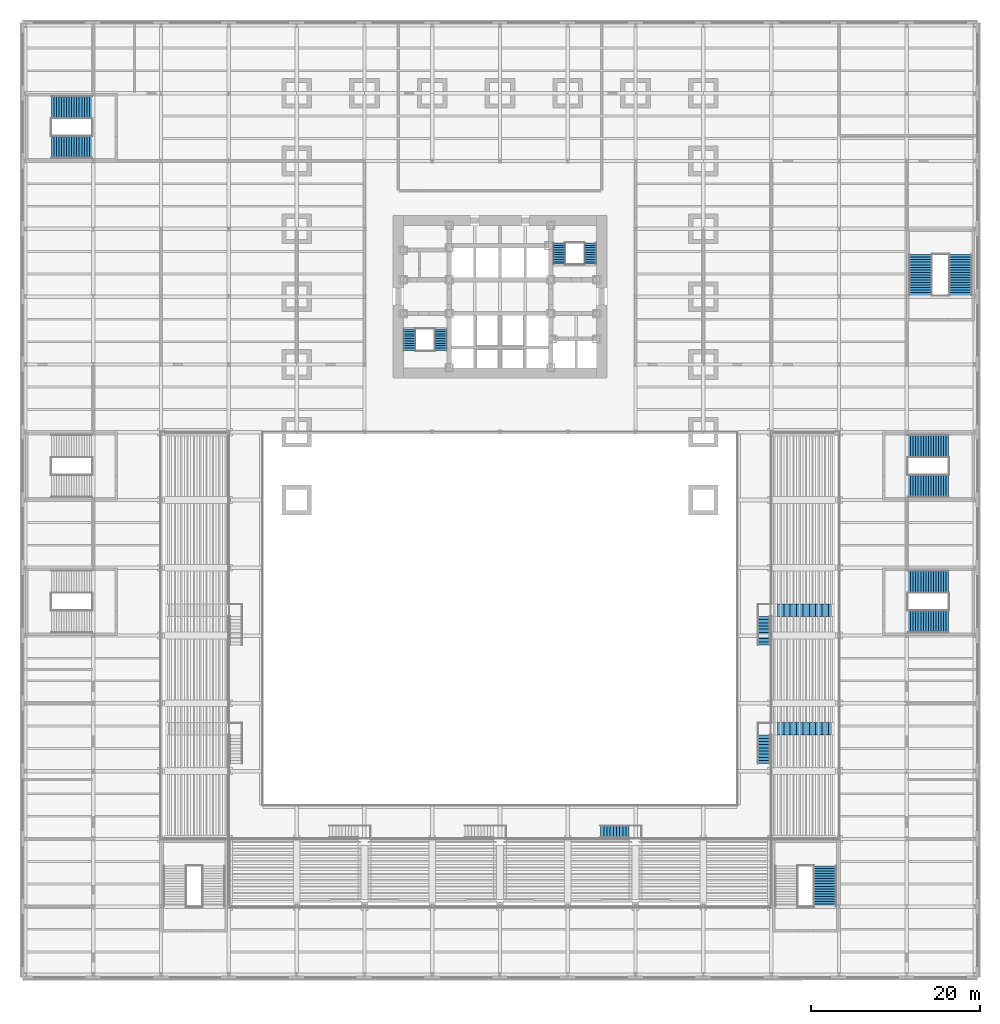
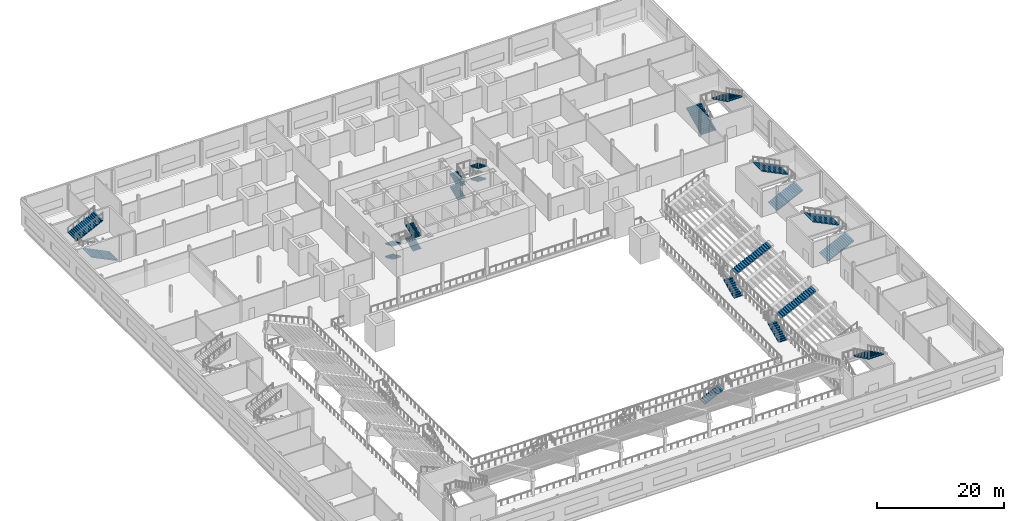
# One storey, part 19 of 27: 22 stair flights, 10 elements without a shape of their own.
"""IFC4 building model written with IfcOpenShell, lengths in metres."""

from ifc_helpers import new_model, si_unit, direction, frame, origin, place, context, subcontext, project, spatial, polyline, outline, extrude, material, type_object, element, aggregate, save


model = new_model("IFC4")

# Units and contexts
model_context = context("Model", 3, precision=1e-05, world=origin(), true_north=direction((0.0, 1.0)))
body_context = subcontext(model_context, "Body", "Model", "MODEL_VIEW")
ifc_project = project(units=[si_unit("LENGTHUNIT", "METRE"), si_unit("AREAUNIT", "SQUARE_METRE"), si_unit("VOLUMEUNIT", "CUBIC_METRE"), si_unit("PLANEANGLEUNIT", "RADIAN"), si_unit("MASSUNIT", "GRAM", prefix="KILO")], contexts=[model_context])

# Site, building, storey
site_placement = place(None, origin())
site = spatial("IfcSite", under=ifc_project, at=site_placement, CompositionType="ELEMENT")
building_placement = place(site_placement, origin())
building = spatial("IfcBuilding", under=site, at=building_placement, Name="Daluyong Arena Tower", CompositionType="ELEMENT")
storey_placement = place(building_placement, frame((0.0, 0.0, 14.89990234375)))
storey = spatial("IfcBuildingStorey", under=building, at=storey_placement, Name="L03", CompositionType="ELEMENT", Elevation=14.89990234375)

# Stair, stair flights
ifc_material_1 = material(Name="Concrete fc' 35 MPa", Category="concrete")
stair_type_1 = type_object("IfcStairType", Name="Bowl aisle stair", PredefinedType="STRAIGHT_RUN_STAIR", material=ifc_material_1)
stair_1_placement = place(storey_placement, origin())
stair_1 = element("IfcStair", 1, at=stair_1_placement, inside=storey, type_object=stair_type_1, Name="upper bowl aisle stair", PredefinedType="STRAIGHT_RUN_STAIR")
ifc_material_2 = material(Name="Concrete fc' 35 MPa", Category="concrete")
stair_flight_type_1 = type_object("IfcStairFlightType", Name="Aisle stair flight", PredefinedType="STRAIGHT", material=ifc_material_2)
stair_flight_1_placement = place(storey_placement, frame((87.14990234375, 24.875, 0.0), z_axis=(0.0, 0.0, 1.0), x_axis=(0.0, 1.0, 0.0)))
stair_flight_1 = element("IfcStairFlight", 2, at=stair_flight_1_placement, type_object=stair_flight_type_1, Name="AS flight 1", NumberOfRisers=10, NumberOfTreads=9, PredefinedType="STRAIGHT", RiserHeight=0.178571429, TreadLength=0.375, context=body_context, shape_type="SweptSolid", body=[
    extrude(outline(polyline([(0.0, 0.0), (0.0, 0.178466796875), (0.375, 0.178466796875), (0.375, 0.357177734375), (0.75, 0.357177734375), (0.75, 0.53564453125), (1.125, 0.53564453125), (1.125, 0.71435546875), (1.5, 0.71435546875), (1.5, 0.892822265625), (1.875, 0.892822265625), (1.875, 1.071533203125), (2.25, 1.071533203125), (2.25, 1.25), (2.625, 1.25), (2.625, 1.428466796875), (3.0, 1.428466796875), (3.0, 1.607177734375), (3.375, 1.607177734375), (3.375, 1.78564453125), (3.375, 1.441162109375), (0.3486328125, 0.0), (0.0, 0.0)])), frame((0.0, 0.75, 0.0), z_axis=(0.0, -1.0, 0.0), x_axis=(1.0, 0.0, 0.0)), (0.0, 0.0, 1.0), 1.5),
])
stair_flight_2_placement = place(storey_placement, frame((88.75, 29.0, 1.785888671875), z_axis=(0.0, 0.0, 1.0), x_axis=(1.0, 0.0, 0.0)))
stair_flight_2 = element("IfcStairFlight", 3, at=stair_flight_2_placement, type_object=stair_flight_type_1, Name="AS flight 2", NumberOfRisers=18, NumberOfTreads=17, PredefinedType="STRAIGHT", RiserHeight=0.178571429, TreadLength=0.375, context=body_context, shape_type="SweptSolid", body=[
    extrude(outline(polyline([(0.0, 0.0), (0.0, 0.178466796875), (0.375, 0.178466796875), (0.375, 0.357177734375), (0.75, 0.357177734375), (0.75, 0.53564453125), (1.125, 0.53564453125), (1.125, 0.71435546875), (1.5, 0.71435546875), (1.5, 0.892822265625), (1.875, 0.892822265625), (1.875, 1.071533203125), (2.25, 1.071533203125), (2.25, 1.25), (2.625, 1.25), (2.625, 1.428466796875), (3.0, 1.428466796875), (3.0, 1.607177734375), (3.375, 1.607177734375), (3.375, 1.78564453125), (3.75, 1.78564453125), (3.75, 1.96435546875), (4.125, 1.96435546875), (4.125, 2.142822265625), (4.5, 2.142822265625), (4.5, 2.321533203125), (4.875, 2.321533203125), (4.875, 2.5), (5.25, 2.5), (5.25, 2.678466796875), (5.625, 2.678466796875), (5.625, 2.857177734375), (6.0, 2.857177734375), (6.0, 3.03564453125), (6.375, 3.03564453125), (6.375, 3.21435546875), (6.375, 2.86962890625), (0.3486328125, 0.0), (0.0, 0.0)])), frame((0.0, 0.75, 0.0), z_axis=(0.0, -1.0, 0.0), x_axis=(1.0, 0.0, 0.0)), (0.0, 0.0, 1.0), 1.5),
])
aggregate(stair_1, [stair_flight_1, stair_flight_2])

stair_2_placement = place(storey_placement, origin())
stair_2 = element("IfcStair", 4, at=stair_2_placement, inside=storey, type_object=stair_type_1, Name="upper bowl aisle stair", PredefinedType="STRAIGHT_RUN_STAIR")
stair_flight_3_placement = place(storey_placement, frame((87.14990234375, 38.875, 0.0), z_axis=(0.0, 0.0, 1.0), x_axis=(0.0, 1.0, 0.0)))
stair_flight_3 = element("IfcStairFlight", 5, at=stair_flight_3_placement, type_object=stair_flight_type_1, Name="AS flight 1", NumberOfRisers=10, NumberOfTreads=9, PredefinedType="STRAIGHT", RiserHeight=0.178571429, TreadLength=0.375, context=body_context, shape_type="SweptSolid", body=[
    extrude(outline(polyline([(0.0, 0.0), (0.0, 0.178466796875), (0.375, 0.178466796875), (0.375, 0.357177734375), (0.75, 0.357177734375), (0.75, 0.53564453125), (1.125, 0.53564453125), (1.125, 0.71435546875), (1.5, 0.71435546875), (1.5, 0.892822265625), (1.875, 0.892822265625), (1.875, 1.071533203125), (2.25, 1.071533203125), (2.25, 1.25), (2.625, 1.25), (2.625, 1.428466796875), (3.0, 1.428466796875), (3.0, 1.607177734375), (3.375, 1.607177734375), (3.375, 1.78564453125), (3.375, 1.441162109375), (0.3486328125, 0.0), (0.0, 0.0)])), frame((0.0, 0.75, 0.0), z_axis=(0.0, -1.0, 0.0), x_axis=(1.0, 0.0, 0.0)), (0.0, 0.0, 1.0), 1.5),
])
stair_flight_4_placement = place(storey_placement, frame((88.75, 43.0, 1.785888671875), z_axis=(0.0, 0.0, 1.0), x_axis=(1.0, 0.0, 0.0)))
stair_flight_4 = element("IfcStairFlight", 6, at=stair_flight_4_placement, type_object=stair_flight_type_1, Name="AS flight 2", NumberOfRisers=18, NumberOfTreads=17, PredefinedType="STRAIGHT", RiserHeight=0.178571429, TreadLength=0.375, context=body_context, shape_type="SweptSolid", body=[
    extrude(outline(polyline([(0.0, 0.0), (0.0, 0.178466796875), (0.375, 0.178466796875), (0.375, 0.357177734375), (0.75, 0.357177734375), (0.75, 0.53564453125), (1.125, 0.53564453125), (1.125, 0.71435546875), (1.5, 0.71435546875), (1.5, 0.892822265625), (1.875, 0.892822265625), (1.875, 1.071533203125), (2.25, 1.071533203125), (2.25, 1.25), (2.625, 1.25), (2.625, 1.428466796875), (3.0, 1.428466796875), (3.0, 1.607177734375), (3.375, 1.607177734375), (3.375, 1.78564453125), (3.75, 1.78564453125), (3.75, 1.96435546875), (4.125, 1.96435546875), (4.125, 2.142822265625), (4.5, 2.142822265625), (4.5, 2.321533203125), (4.875, 2.321533203125), (4.875, 2.5), (5.25, 2.5), (5.25, 2.678466796875), (5.625, 2.678466796875), (5.625, 2.857177734375), (6.0, 2.857177734375), (6.0, 3.03564453125), (6.375, 3.03564453125), (6.375, 3.21435546875), (6.375, 2.86962890625), (0.3486328125, 0.0), (0.0, 0.0)])), frame((0.0, 0.75, 0.0), z_axis=(0.0, -1.0, 0.0), x_axis=(1.0, 0.0, 0.0)), (0.0, 0.0, 1.0), 1.5),
])
aggregate(stair_2, [stair_flight_3, stair_flight_4])

# Stair, stair flight
stair_3_placement = place(storey_placement, origin())
stair_3 = element("IfcStair", 7, at=stair_3_placement, inside=storey, type_object=stair_type_1, Name="upper bowl aisle stair", PredefinedType="STRAIGHT_RUN_STAIR")
stair_flight_5_placement = place(storey_placement, frame((67.875, 16.85009765625, 0.0), z_axis=(0.0, 0.0, 1.0), x_axis=(1.0, 0.0, 0.0)))
stair_flight_5 = element("IfcStairFlight", 8, at=stair_flight_5_placement, type_object=stair_flight_type_1, Name="AS flight 1", NumberOfRisers=10, NumberOfTreads=9, PredefinedType="STRAIGHT", RiserHeight=0.178571429, TreadLength=0.375, context=body_context, shape_type="SweptSolid", body=[
    extrude(outline(polyline([(0.0, 0.0), (0.0, 0.178466796875), (0.375, 0.178466796875), (0.375, 0.357177734375), (0.75, 0.357177734375), (0.75, 0.53564453125), (1.125, 0.53564453125), (1.125, 0.71435546875), (1.5, 0.71435546875), (1.5, 0.892822265625), (1.875, 0.892822265625), (1.875, 1.071533203125), (2.25, 1.071533203125), (2.25, 1.25), (2.625, 1.25), (2.625, 1.428466796875), (3.0, 1.428466796875), (3.0, 1.607177734375), (3.375, 1.607177734375), (3.375, 1.78564453125), (3.375, 1.441162109375), (0.3486328125, 0.0), (0.0, 0.0)])), frame((0.0, 0.75, 0.0), z_axis=(0.0, -1.0, 0.0), x_axis=(1.0, 0.0, 0.0)), (0.0, 0.0, 1.0), 1.5),
])
aggregate(stair_3, [stair_flight_5])

# Stair, stair flights
ifc_material_3 = material(Name="Concrete fc' 35 MPa", Category="concrete")
stair_type_2 = type_object("IfcStairType", Name="Core exit stair", PredefinedType="HALF_TURN_STAIR", material=ifc_material_3)
stair_4_placement = place(storey_placement, origin())
stair_4 = element("IfcStair", 9, at=stair_4_placement, inside=storey, type_object=stair_type_2, Name="exit stair A L03", PredefinedType="HALF_TURN_STAIR")
ifc_material_4 = material(Name="Concrete fc' 35 MPa", Category="concrete")
stair_flight_type_2 = type_object("IfcStairFlightType", Name="Core stair flight", PredefinedType="STRAIGHT", material=ifc_material_4)
stair_flight_6_placement = place(storey_placement, frame((45.324951171875, 76.175048828125, 0.0), z_axis=(0.0, 0.0, 1.0), x_axis=(0.0, -1.0, 0.0)))
stair_flight_6 = element("IfcStairFlight", 10, at=stair_flight_6_placement, type_object=stair_flight_type_2, Name="STA flight 1", NumberOfRisers=10, NumberOfTreads=9, PredefinedType="STRAIGHT", RiserHeight=0.125, TreadLength=0.28, context=body_context, shape_type="SweptSolid", body=[
    extrude(outline(polyline([(0.0, 0.0), (0.0, 0.125), (0.280029296875, 0.125), (0.280029296875, 0.25), (0.56005859375, 0.25), (0.56005859375, 0.375), (0.840087890625, 0.375), (0.840087890625, 0.5), (1.1201171875, 0.5), (1.1201171875, 0.625), (1.39990234375, 0.625), (1.39990234375, 0.75), (1.679931640625, 0.75), (1.679931640625, 0.875), (1.9599609375, 0.875), (1.9599609375, 1.0), (2.239990234375, 1.0), (2.239990234375, 1.125), (2.52001953125, 1.125), (2.52001953125, 1.25), (2.52001953125, 0.9609375), (0.36767578125, 0.0), (0.0, 0.0)])), frame((0.0, 0.72509765625, 0.0), z_axis=(0.0, -1.0, 0.0), x_axis=(1.0, 0.0, 0.0)), (0.0, 0.0, 1.0), 1.449951171875),
])
stair_flight_7_placement = place(storey_placement, frame((49.02490234375, 73.655029296875, 1.25), z_axis=(0.0, 0.0, 1.0), x_axis=(0.0, 1.0, 0.0)))
stair_flight_7 = element("IfcStairFlight", 11, at=stair_flight_7_placement, type_object=stair_flight_type_2, Name="STA flight 2", NumberOfRisers=10, NumberOfTreads=9, PredefinedType="STRAIGHT", RiserHeight=0.125, TreadLength=0.28, context=body_context, shape_type="SweptSolid", body=[
    extrude(outline(polyline([(0.0, 0.0), (0.0, 0.125), (0.280029296875, 0.125), (0.280029296875, 0.25), (0.56005859375, 0.25), (0.56005859375, 0.375), (0.840087890625, 0.375), (0.840087890625, 0.5), (1.1201171875, 0.5), (1.1201171875, 0.625), (1.39990234375, 0.625), (1.39990234375, 0.75), (1.679931640625, 0.75), (1.679931640625, 0.875), (1.9599609375, 0.875), (1.9599609375, 1.0), (2.239990234375, 1.0), (2.239990234375, 1.125), (2.52001953125, 1.125), (2.52001953125, 1.25), (2.52001953125, 0.9609375), (0.36767578125, 0.0), (0.0, 0.0)])), frame((0.0, 0.72509765625, 0.0), z_axis=(0.0, -1.0, 0.0), x_axis=(1.0, 0.0, 0.0)), (0.0, 0.0, 1.0), 1.449951171875),
])
stair_flight_8_placement = place(storey_placement, frame((45.324951171875, 76.175048828125, 2.5), z_axis=(0.0, 0.0, 1.0), x_axis=(0.0, -1.0, 0.0)))
stair_flight_8 = element("IfcStairFlight", 12, at=stair_flight_8_placement, type_object=stair_flight_type_2, Name="STA flight 3", NumberOfRisers=10, NumberOfTreads=9, PredefinedType="STRAIGHT", RiserHeight=0.125, TreadLength=0.28, context=body_context, shape_type="SweptSolid", body=[
    extrude(outline(polyline([(0.0, 0.0), (0.0, 0.125), (0.280029296875, 0.125), (0.280029296875, 0.25), (0.56005859375, 0.25), (0.56005859375, 0.375), (0.840087890625, 0.375), (0.840087890625, 0.5), (1.1201171875, 0.5), (1.1201171875, 0.625), (1.39990234375, 0.625), (1.39990234375, 0.75), (1.679931640625, 0.75), (1.679931640625, 0.875), (1.9599609375, 0.875), (1.9599609375, 1.0), (2.239990234375, 1.0), (2.239990234375, 1.125), (2.52001953125, 1.125), (2.52001953125, 1.25), (2.52001953125, 0.9609375), (0.36767578125, 0.0), (0.0, 0.0)])), frame((0.0, 0.72509765625, 0.0), z_axis=(0.0, -1.0, 0.0), x_axis=(1.0, 0.0, 0.0)), (0.0, 0.0, 1.0), 1.449951171875),
])
stair_flight_9_placement = place(storey_placement, frame((49.02490234375, 73.655029296875, 3.75), z_axis=(0.0, 0.0, 1.0), x_axis=(0.0, 1.0, 0.0)))
stair_flight_9 = element("IfcStairFlight", 13, at=stair_flight_9_placement, type_object=stair_flight_type_2, Name="STA flight 4", NumberOfRisers=10, NumberOfTreads=9, PredefinedType="STRAIGHT", RiserHeight=0.125, TreadLength=0.28, context=body_context, shape_type="SweptSolid", body=[
    extrude(outline(polyline([(0.0, 0.0), (0.0, 0.125), (0.280029296875, 0.125), (0.280029296875, 0.25), (0.56005859375, 0.25), (0.56005859375, 0.375), (0.840087890625, 0.375), (0.840087890625, 0.5), (1.1201171875, 0.5), (1.1201171875, 0.625), (1.39990234375, 0.625), (1.39990234375, 0.75), (1.679931640625, 0.75), (1.679931640625, 0.875), (1.9599609375, 0.875), (1.9599609375, 1.0), (2.239990234375, 1.0), (2.239990234375, 1.125), (2.52001953125, 1.125), (2.52001953125, 1.25), (2.52001953125, 0.9609375), (0.36767578125, 0.0), (0.0, 0.0)])), frame((0.0, 0.72509765625, 0.0), z_axis=(0.0, -1.0, 0.0), x_axis=(1.0, 0.0, 0.0)), (0.0, 0.0, 1.0), 1.449951171875),
])
aggregate(stair_4, [stair_flight_6, stair_flight_7, stair_flight_8, stair_flight_9])

stair_5_placement = place(storey_placement, origin())
stair_5 = element("IfcStair", 14, at=stair_5_placement, inside=storey, type_object=stair_type_2, Name="exit stair B L03", PredefinedType="HALF_TURN_STAIR")
stair_flight_10_placement = place(storey_placement, frame((62.97509765625, 83.824951171875, 0.0), z_axis=(0.0, 0.0, 1.0), x_axis=(0.0, 1.0, 0.0)))
stair_flight_10 = element("IfcStairFlight", 15, at=stair_flight_10_placement, type_object=stair_flight_type_2, Name="STB flight 1", NumberOfRisers=10, NumberOfTreads=9, PredefinedType="STRAIGHT", RiserHeight=0.125, TreadLength=0.28, context=body_context, shape_type="SweptSolid", body=[
    extrude(outline(polyline([(0.0, 0.0), (0.0, 0.125), (0.280029296875, 0.125), (0.280029296875, 0.25), (0.56005859375, 0.25), (0.56005859375, 0.375), (0.840087890625, 0.375), (0.840087890625, 0.5), (1.1201171875, 0.5), (1.1201171875, 0.625), (1.39990234375, 0.625), (1.39990234375, 0.75), (1.679931640625, 0.75), (1.679931640625, 0.875), (1.9599609375, 0.875), (1.9599609375, 1.0), (2.239990234375, 1.0), (2.239990234375, 1.125), (2.52001953125, 1.125), (2.52001953125, 1.25), (2.52001953125, 0.9609375), (0.36767578125, 0.0), (0.0, 0.0)])), frame((0.0, 0.72509765625, 0.0), z_axis=(0.0, -1.0, 0.0), x_axis=(1.0, 0.0, 0.0)), (0.0, 0.0, 1.0), 1.449951171875),
])
stair_flight_11_placement = place(storey_placement, frame((66.675048828125, 86.344970703125, 1.25), z_axis=(0.0, 0.0, 1.0), x_axis=(0.0, -1.0, 0.0)))
stair_flight_11 = element("IfcStairFlight", 16, at=stair_flight_11_placement, type_object=stair_flight_type_2, Name="STB flight 2", NumberOfRisers=10, NumberOfTreads=9, PredefinedType="STRAIGHT", RiserHeight=0.125, TreadLength=0.28, context=body_context, shape_type="SweptSolid", body=[
    extrude(outline(polyline([(0.0, 0.0), (0.0, 0.125), (0.280029296875, 0.125), (0.280029296875, 0.25), (0.56005859375, 0.25), (0.56005859375, 0.375), (0.840087890625, 0.375), (0.840087890625, 0.5), (1.1201171875, 0.5), (1.1201171875, 0.625), (1.39990234375, 0.625), (1.39990234375, 0.75), (1.679931640625, 0.75), (1.679931640625, 0.875), (1.9599609375, 0.875), (1.9599609375, 1.0), (2.239990234375, 1.0), (2.239990234375, 1.125), (2.52001953125, 1.125), (2.52001953125, 1.25), (2.52001953125, 0.9609375), (0.36767578125, 0.0), (0.0, 0.0)])), frame((0.0, 0.72509765625, 0.0), z_axis=(0.0, -1.0, 0.0), x_axis=(1.0, 0.0, 0.0)), (0.0, 0.0, 1.0), 1.449951171875),
])
stair_flight_12_placement = place(storey_placement, frame((62.97509765625, 83.824951171875, 2.5), z_axis=(0.0, 0.0, 1.0), x_axis=(0.0, 1.0, 0.0)))
stair_flight_12 = element("IfcStairFlight", 17, at=stair_flight_12_placement, type_object=stair_flight_type_2, Name="STB flight 3", NumberOfRisers=10, NumberOfTreads=9, PredefinedType="STRAIGHT", RiserHeight=0.125, TreadLength=0.28, context=body_context, shape_type="SweptSolid", body=[
    extrude(outline(polyline([(0.0, 0.0), (0.0, 0.125), (0.280029296875, 0.125), (0.280029296875, 0.25), (0.56005859375, 0.25), (0.56005859375, 0.375), (0.840087890625, 0.375), (0.840087890625, 0.5), (1.1201171875, 0.5), (1.1201171875, 0.625), (1.39990234375, 0.625), (1.39990234375, 0.75), (1.679931640625, 0.75), (1.679931640625, 0.875), (1.9599609375, 0.875), (1.9599609375, 1.0), (2.239990234375, 1.0), (2.239990234375, 1.125), (2.52001953125, 1.125), (2.52001953125, 1.25), (2.52001953125, 0.9609375), (0.36767578125, 0.0), (0.0, 0.0)])), frame((0.0, 0.72509765625, 0.0), z_axis=(0.0, -1.0, 0.0), x_axis=(1.0, 0.0, 0.0)), (0.0, 0.0, 1.0), 1.449951171875),
])
stair_flight_13_placement = place(storey_placement, frame((66.675048828125, 86.344970703125, 3.75), z_axis=(0.0, 0.0, 1.0), x_axis=(0.0, -1.0, 0.0)))
stair_flight_13 = element("IfcStairFlight", 18, at=stair_flight_13_placement, type_object=stair_flight_type_2, Name="STB flight 4", NumberOfRisers=10, NumberOfTreads=9, PredefinedType="STRAIGHT", RiserHeight=0.125, TreadLength=0.28, context=body_context, shape_type="SweptSolid", body=[
    extrude(outline(polyline([(0.0, 0.0), (0.0, 0.125), (0.280029296875, 0.125), (0.280029296875, 0.25), (0.56005859375, 0.25), (0.56005859375, 0.375), (0.840087890625, 0.375), (0.840087890625, 0.5), (1.1201171875, 0.5), (1.1201171875, 0.625), (1.39990234375, 0.625), (1.39990234375, 0.75), (1.679931640625, 0.75), (1.679931640625, 0.875), (1.9599609375, 0.875), (1.9599609375, 1.0), (2.239990234375, 1.0), (2.239990234375, 1.125), (2.52001953125, 1.125), (2.52001953125, 1.25), (2.52001953125, 0.9609375), (0.36767578125, 0.0), (0.0, 0.0)])), frame((0.0, 0.72509765625, 0.0), z_axis=(0.0, -1.0, 0.0), x_axis=(1.0, 0.0, 0.0)), (0.0, 0.0, 1.0), 1.449951171875),
])
aggregate(stair_5, [stair_flight_10, stair_flight_11, stair_flight_12, stair_flight_13])

# Stair, stair flight
ifc_material_5 = material(Name="Concrete fc' 35 MPa", Category="concrete")
stair_type_3 = type_object("IfcStairType", Name="Podium exit stair", PredefinedType="HALF_TURN_STAIR", material=ifc_material_5)
stair_6_placement = place(storey_placement, origin())
stair_6 = element("IfcStair", 19, at=stair_6_placement, inside=storey, type_object=stair_type_3, Name="exit stair PS2 L03", PredefinedType="HALF_TURN_STAIR")
ifc_material_6 = material(Name="Concrete fc' 35 MPa", Category="concrete")
stair_flight_type_3 = type_object("IfcStairFlightType", Name="Podium stair flight", PredefinedType="STRAIGHT", material=ifc_material_6)
stair_flight_14_placement = place(storey_placement, frame((94.35009765625, 12.81005859375, 2.5), z_axis=(0.0, 0.0, 1.0), x_axis=(0.0, -1.0, 0.0)))
stair_flight_14 = element("IfcStairFlight", 20, at=stair_flight_14_placement, type_object=stair_flight_type_3, Name="PS2 flight 2", NumberOfRisers=17, NumberOfTreads=16, PredefinedType="STRAIGHT", RiserHeight=0.147058824, TreadLength=0.3, context=body_context, shape_type="SweptSolid", body=[
    extrude(outline(polyline([(0.0, 0.0), (0.0, 0.14697265625), (0.300048828125, 0.14697265625), (0.300048828125, 0.294189453125), (0.60009765625, 0.294189453125), (0.60009765625, 0.441162109375), (0.89990234375, 0.441162109375), (0.89990234375, 0.588134765625), (1.199951171875, 0.588134765625), (1.199951171875, 0.7353515625), (1.5, 0.7353515625), (1.5, 0.88232421875), (1.800048828125, 0.88232421875), (1.800048828125, 1.029296875), (2.10009765625, 1.029296875), (2.10009765625, 1.176513671875), (2.39990234375, 1.176513671875), (2.39990234375, 1.323486328125), (2.699951171875, 1.323486328125), (2.699951171875, 1.470703125), (3.0, 1.470703125), (3.0, 1.61767578125), (3.300048828125, 1.61767578125), (3.300048828125, 1.7646484375), (3.60009765625, 1.7646484375), (3.60009765625, 1.911865234375), (3.89990234375, 1.911865234375), (3.89990234375, 2.058837890625), (4.199951171875, 2.058837890625), (4.199951171875, 2.205810546875), (4.5, 2.205810546875), (4.5, 2.35302734375), (4.800048828125, 2.35302734375), (4.800048828125, 2.5), (4.800048828125, 2.18603515625), (0.340576171875, 0.0), (0.0, 0.0)])), frame((0.0, 1.35009765625, 0.0), z_axis=(0.0, -1.0, 0.0), x_axis=(1.0, 0.0, 0.0)), (0.0, 0.0, 1.0), 2.699951171875),
])
aggregate(stair_6, [stair_flight_14])

# Stair, stair flights
stair_7_placement = place(storey_placement, origin())
stair_7 = element("IfcStair", 21, at=stair_7_placement, inside=storey, type_object=stair_type_3, Name="exit stair PS4 L03", PredefinedType="HALF_TURN_STAIR")
stair_flight_15_placement = place(storey_placement, frame((104.159912109375, 41.64990234375, 0.0), z_axis=(0.0, 0.0, 1.0), x_axis=(1.0, 0.0, 0.0)))
stair_flight_15 = element("IfcStairFlight", 22, at=stair_flight_15_placement, type_object=stair_flight_type_3, Name="PS4 flight 1", NumberOfRisers=17, NumberOfTreads=16, PredefinedType="STRAIGHT", RiserHeight=0.147058824, TreadLength=0.3, context=body_context, shape_type="SweptSolid", body=[
    extrude(outline(polyline([(0.0, 0.0), (0.0, 0.14697265625), (0.300048828125, 0.14697265625), (0.300048828125, 0.294189453125), (0.60009765625, 0.294189453125), (0.60009765625, 0.441162109375), (0.89990234375, 0.441162109375), (0.89990234375, 0.588134765625), (1.199951171875, 0.588134765625), (1.199951171875, 0.7353515625), (1.5, 0.7353515625), (1.5, 0.88232421875), (1.800048828125, 0.88232421875), (1.800048828125, 1.029296875), (2.10009765625, 1.029296875), (2.10009765625, 1.176513671875), (2.39990234375, 1.176513671875), (2.39990234375, 1.323486328125), (2.699951171875, 1.323486328125), (2.699951171875, 1.470703125), (3.0, 1.470703125), (3.0, 1.61767578125), (3.300048828125, 1.61767578125), (3.300048828125, 1.7646484375), (3.60009765625, 1.7646484375), (3.60009765625, 1.911865234375), (3.89990234375, 1.911865234375), (3.89990234375, 2.058837890625), (4.199951171875, 2.058837890625), (4.199951171875, 2.205810546875), (4.5, 2.205810546875), (4.5, 2.35302734375), (4.800048828125, 2.35302734375), (4.800048828125, 2.5), (4.800048828125, 2.18603515625), (0.340576171875, 0.0), (0.0, 0.0)])), frame((0.0, 1.35009765625, 0.0), z_axis=(0.0, -1.0, 0.0), x_axis=(1.0, 0.0, 0.0)), (0.0, 0.0, 1.0), 2.699951171875),
])
stair_flight_16_placement = place(storey_placement, frame((108.9599609375, 46.35009765625, 2.5), z_axis=(0.0, 0.0, 1.0), x_axis=(-1.0, 0.0, 0.0)))
stair_flight_16 = element("IfcStairFlight", 23, at=stair_flight_16_placement, type_object=stair_flight_type_3, Name="PS4 flight 2", NumberOfRisers=17, NumberOfTreads=16, PredefinedType="STRAIGHT", RiserHeight=0.147058824, TreadLength=0.3, context=body_context, shape_type="SweptSolid", body=[
    extrude(outline(polyline([(0.0, 0.0), (0.0, 0.14697265625), (0.300048828125, 0.14697265625), (0.300048828125, 0.294189453125), (0.60009765625, 0.294189453125), (0.60009765625, 0.441162109375), (0.89990234375, 0.441162109375), (0.89990234375, 0.588134765625), (1.199951171875, 0.588134765625), (1.199951171875, 0.7353515625), (1.5, 0.7353515625), (1.5, 0.88232421875), (1.800048828125, 0.88232421875), (1.800048828125, 1.029296875), (2.10009765625, 1.029296875), (2.10009765625, 1.176513671875), (2.39990234375, 1.176513671875), (2.39990234375, 1.323486328125), (2.699951171875, 1.323486328125), (2.699951171875, 1.470703125), (3.0, 1.470703125), (3.0, 1.61767578125), (3.300048828125, 1.61767578125), (3.300048828125, 1.7646484375), (3.60009765625, 1.7646484375), (3.60009765625, 1.911865234375), (3.89990234375, 1.911865234375), (3.89990234375, 2.058837890625), (4.199951171875, 2.058837890625), (4.199951171875, 2.205810546875), (4.5, 2.205810546875), (4.5, 2.35302734375), (4.800048828125, 2.35302734375), (4.800048828125, 2.5), (4.800048828125, 2.18603515625), (0.340576171875, 0.0), (0.0, 0.0)])), frame((0.0, 1.35009765625, 0.0), z_axis=(0.0, -1.0, 0.0), x_axis=(1.0, 0.0, 0.0)), (0.0, 0.0, 1.0), 2.699951171875),
])
aggregate(stair_7, [stair_flight_15, stair_flight_16])

stair_8_placement = place(storey_placement, origin())
stair_8 = element("IfcStair", 24, at=stair_8_placement, inside=storey, type_object=stair_type_3, Name="exit stair PS5 L03", PredefinedType="HALF_TURN_STAIR")
stair_flight_17_placement = place(storey_placement, frame((7.840087890625, 97.64990234375, 0.0), z_axis=(0.0, 0.0, 1.0), x_axis=(-1.0, 0.0, 0.0)))
stair_flight_17 = element("IfcStairFlight", 25, at=stair_flight_17_placement, type_object=stair_flight_type_3, Name="PS5 flight 1", NumberOfRisers=17, NumberOfTreads=16, PredefinedType="STRAIGHT", RiserHeight=0.147058824, TreadLength=0.3, context=body_context, shape_type="SweptSolid", body=[
    extrude(outline(polyline([(0.0, 0.0), (0.0, 0.14697265625), (0.300048828125, 0.14697265625), (0.300048828125, 0.294189453125), (0.60009765625, 0.294189453125), (0.60009765625, 0.441162109375), (0.89990234375, 0.441162109375), (0.89990234375, 0.588134765625), (1.199951171875, 0.588134765625), (1.199951171875, 0.7353515625), (1.5, 0.7353515625), (1.5, 0.88232421875), (1.800048828125, 0.88232421875), (1.800048828125, 1.029296875), (2.10009765625, 1.029296875), (2.10009765625, 1.176513671875), (2.39990234375, 1.176513671875), (2.39990234375, 1.323486328125), (2.699951171875, 1.323486328125), (2.699951171875, 1.470703125), (3.0, 1.470703125), (3.0, 1.61767578125), (3.300048828125, 1.61767578125), (3.300048828125, 1.7646484375), (3.60009765625, 1.7646484375), (3.60009765625, 1.911865234375), (3.89990234375, 1.911865234375), (3.89990234375, 2.058837890625), (4.199951171875, 2.058837890625), (4.199951171875, 2.205810546875), (4.5, 2.205810546875), (4.5, 2.35302734375), (4.800048828125, 2.35302734375), (4.800048828125, 2.5), (4.800048828125, 2.18603515625), (0.340576171875, 0.0), (0.0, 0.0)])), frame((0.0, 1.35009765625, 0.0), z_axis=(0.0, -1.0, 0.0), x_axis=(1.0, 0.0, 0.0)), (0.0, 0.0, 1.0), 2.699951171875),
])
stair_flight_18_placement = place(storey_placement, frame((3.0400390625, 102.35009765625, 2.5), z_axis=(0.0, 0.0, 1.0), x_axis=(1.0, 0.0, 0.0)))
stair_flight_18 = element("IfcStairFlight", 26, at=stair_flight_18_placement, type_object=stair_flight_type_3, Name="PS5 flight 2", NumberOfRisers=17, NumberOfTreads=16, PredefinedType="STRAIGHT", RiserHeight=0.147058824, TreadLength=0.3, context=body_context, shape_type="SweptSolid", body=[
    extrude(outline(polyline([(0.0, 0.0), (0.0, 0.14697265625), (0.300048828125, 0.14697265625), (0.300048828125, 0.294189453125), (0.60009765625, 0.294189453125), (0.60009765625, 0.441162109375), (0.89990234375, 0.441162109375), (0.89990234375, 0.588134765625), (1.199951171875, 0.588134765625), (1.199951171875, 0.7353515625), (1.5, 0.7353515625), (1.5, 0.88232421875), (1.800048828125, 0.88232421875), (1.800048828125, 1.029296875), (2.10009765625, 1.029296875), (2.10009765625, 1.176513671875), (2.39990234375, 1.176513671875), (2.39990234375, 1.323486328125), (2.699951171875, 1.323486328125), (2.699951171875, 1.470703125), (3.0, 1.470703125), (3.0, 1.61767578125), (3.300048828125, 1.61767578125), (3.300048828125, 1.7646484375), (3.60009765625, 1.7646484375), (3.60009765625, 1.911865234375), (3.89990234375, 1.911865234375), (3.89990234375, 2.058837890625), (4.199951171875, 2.058837890625), (4.199951171875, 2.205810546875), (4.5, 2.205810546875), (4.5, 2.35302734375), (4.800048828125, 2.35302734375), (4.800048828125, 2.5), (4.800048828125, 2.18603515625), (0.340576171875, 0.0), (0.0, 0.0)])), frame((0.0, 1.35009765625, 0.0), z_axis=(0.0, -1.0, 0.0), x_axis=(1.0, 0.0, 0.0)), (0.0, 0.0, 1.0), 2.699951171875),
])
aggregate(stair_8, [stair_flight_17, stair_flight_18])

stair_9_placement = place(storey_placement, origin())
stair_9 = element("IfcStair", 27, at=stair_9_placement, inside=storey, type_object=stair_type_3, Name="exit stair PS6 L03", PredefinedType="HALF_TURN_STAIR")
stair_flight_19_placement = place(storey_placement, frame((105.64990234375, 80.159912109375, 0.0), z_axis=(0.0, 0.0, 1.0), x_axis=(0.0, 1.0, 0.0)))
stair_flight_19 = element("IfcStairFlight", 28, at=stair_flight_19_placement, type_object=stair_flight_type_3, Name="PS6 flight 1", NumberOfRisers=17, NumberOfTreads=16, PredefinedType="STRAIGHT", RiserHeight=0.147058824, TreadLength=0.3, context=body_context, shape_type="SweptSolid", body=[
    extrude(outline(polyline([(0.0, 0.0), (0.0, 0.14697265625), (0.300048828125, 0.14697265625), (0.300048828125, 0.294189453125), (0.60009765625, 0.294189453125), (0.60009765625, 0.441162109375), (0.89990234375, 0.441162109375), (0.89990234375, 0.588134765625), (1.199951171875, 0.588134765625), (1.199951171875, 0.7353515625), (1.5, 0.7353515625), (1.5, 0.88232421875), (1.800048828125, 0.88232421875), (1.800048828125, 1.029296875), (2.10009765625, 1.029296875), (2.10009765625, 1.176513671875), (2.39990234375, 1.176513671875), (2.39990234375, 1.323486328125), (2.699951171875, 1.323486328125), (2.699951171875, 1.470703125), (3.0, 1.470703125), (3.0, 1.61767578125), (3.300048828125, 1.61767578125), (3.300048828125, 1.7646484375), (3.60009765625, 1.7646484375), (3.60009765625, 1.911865234375), (3.89990234375, 1.911865234375), (3.89990234375, 2.058837890625), (4.199951171875, 2.058837890625), (4.199951171875, 2.205810546875), (4.5, 2.205810546875), (4.5, 2.35302734375), (4.800048828125, 2.35302734375), (4.800048828125, 2.5), (4.800048828125, 2.18603515625), (0.340576171875, 0.0), (0.0, 0.0)])), frame((0.0, 1.35009765625, 0.0), z_axis=(0.0, -1.0, 0.0), x_axis=(1.0, 0.0, 0.0)), (0.0, 0.0, 1.0), 2.699951171875),
])
stair_flight_20_placement = place(storey_placement, frame((110.35009765625, 84.9599609375, 2.5), z_axis=(0.0, 0.0, 1.0), x_axis=(0.0, -1.0, 0.0)))
stair_flight_20 = element("IfcStairFlight", 29, at=stair_flight_20_placement, type_object=stair_flight_type_3, Name="PS6 flight 2", NumberOfRisers=17, NumberOfTreads=16, PredefinedType="STRAIGHT", RiserHeight=0.147058824, TreadLength=0.3, context=body_context, shape_type="SweptSolid", body=[
    extrude(outline(polyline([(0.0, 0.0), (0.0, 0.14697265625), (0.300048828125, 0.14697265625), (0.300048828125, 0.294189453125), (0.60009765625, 0.294189453125), (0.60009765625, 0.441162109375), (0.89990234375, 0.441162109375), (0.89990234375, 0.588134765625), (1.199951171875, 0.588134765625), (1.199951171875, 0.7353515625), (1.5, 0.7353515625), (1.5, 0.88232421875), (1.800048828125, 0.88232421875), (1.800048828125, 1.029296875), (2.10009765625, 1.029296875), (2.10009765625, 1.176513671875), (2.39990234375, 1.176513671875), (2.39990234375, 1.323486328125), (2.699951171875, 1.323486328125), (2.699951171875, 1.470703125), (3.0, 1.470703125), (3.0, 1.61767578125), (3.300048828125, 1.61767578125), (3.300048828125, 1.7646484375), (3.60009765625, 1.7646484375), (3.60009765625, 1.911865234375), (3.89990234375, 1.911865234375), (3.89990234375, 2.058837890625), (4.199951171875, 2.058837890625), (4.199951171875, 2.205810546875), (4.5, 2.205810546875), (4.5, 2.35302734375), (4.800048828125, 2.35302734375), (4.800048828125, 2.5), (4.800048828125, 2.18603515625), (0.340576171875, 0.0), (0.0, 0.0)])), frame((0.0, 1.35009765625, 0.0), z_axis=(0.0, -1.0, 0.0), x_axis=(1.0, 0.0, 0.0)), (0.0, 0.0, 1.0), 2.699951171875),
])
aggregate(stair_9, [stair_flight_19, stair_flight_20])

stair_10_placement = place(storey_placement, origin())
stair_10 = element("IfcStair", 30, at=stair_10_placement, inside=storey, type_object=stair_type_3, Name="exit stair PS8 L03", PredefinedType="HALF_TURN_STAIR")
stair_flight_21_placement = place(storey_placement, frame((104.159912109375, 57.64990234375, 0.0), z_axis=(0.0, 0.0, 1.0), x_axis=(1.0, 0.0, 0.0)))
stair_flight_21 = element("IfcStairFlight", 31, at=stair_flight_21_placement, type_object=stair_flight_type_3, Name="PS8 flight 1", NumberOfRisers=17, NumberOfTreads=16, PredefinedType="STRAIGHT", RiserHeight=0.147058824, TreadLength=0.3, context=body_context, shape_type="SweptSolid", body=[
    extrude(outline(polyline([(0.0, 0.0), (0.0, 0.14697265625), (0.300048828125, 0.14697265625), (0.300048828125, 0.294189453125), (0.60009765625, 0.294189453125), (0.60009765625, 0.441162109375), (0.89990234375, 0.441162109375), (0.89990234375, 0.588134765625), (1.199951171875, 0.588134765625), (1.199951171875, 0.7353515625), (1.5, 0.7353515625), (1.5, 0.88232421875), (1.800048828125, 0.88232421875), (1.800048828125, 1.029296875), (2.10009765625, 1.029296875), (2.10009765625, 1.176513671875), (2.39990234375, 1.176513671875), (2.39990234375, 1.323486328125), (2.699951171875, 1.323486328125), (2.699951171875, 1.470703125), (3.0, 1.470703125), (3.0, 1.61767578125), (3.300048828125, 1.61767578125), (3.300048828125, 1.7646484375), (3.60009765625, 1.7646484375), (3.60009765625, 1.911865234375), (3.89990234375, 1.911865234375), (3.89990234375, 2.058837890625), (4.199951171875, 2.058837890625), (4.199951171875, 2.205810546875), (4.5, 2.205810546875), (4.5, 2.35302734375), (4.800048828125, 2.35302734375), (4.800048828125, 2.5), (4.800048828125, 2.18603515625), (0.340576171875, 0.0), (0.0, 0.0)])), frame((0.0, 1.35009765625, 0.0), z_axis=(0.0, -1.0, 0.0), x_axis=(1.0, 0.0, 0.0)), (0.0, 0.0, 1.0), 2.699951171875),
])
stair_flight_22_placement = place(storey_placement, frame((108.9599609375, 62.35009765625, 2.5), z_axis=(0.0, 0.0, 1.0), x_axis=(-1.0, 0.0, 0.0)))
stair_flight_22 = element("IfcStairFlight", 32, at=stair_flight_22_placement, type_object=stair_flight_type_3, Name="PS8 flight 2", NumberOfRisers=17, NumberOfTreads=16, PredefinedType="STRAIGHT", RiserHeight=0.147058824, TreadLength=0.3, context=body_context, shape_type="SweptSolid", body=[
    extrude(outline(polyline([(0.0, 0.0), (0.0, 0.14697265625), (0.300048828125, 0.14697265625), (0.300048828125, 0.294189453125), (0.60009765625, 0.294189453125), (0.60009765625, 0.441162109375), (0.89990234375, 0.441162109375), (0.89990234375, 0.588134765625), (1.199951171875, 0.588134765625), (1.199951171875, 0.7353515625), (1.5, 0.7353515625), (1.5, 0.88232421875), (1.800048828125, 0.88232421875), (1.800048828125, 1.029296875), (2.10009765625, 1.029296875), (2.10009765625, 1.176513671875), (2.39990234375, 1.176513671875), (2.39990234375, 1.323486328125), (2.699951171875, 1.323486328125), (2.699951171875, 1.470703125), (3.0, 1.470703125), (3.0, 1.61767578125), (3.300048828125, 1.61767578125), (3.300048828125, 1.7646484375), (3.60009765625, 1.7646484375), (3.60009765625, 1.911865234375), (3.89990234375, 1.911865234375), (3.89990234375, 2.058837890625), (4.199951171875, 2.058837890625), (4.199951171875, 2.205810546875), (4.5, 2.205810546875), (4.5, 2.35302734375), (4.800048828125, 2.35302734375), (4.800048828125, 2.5), (4.800048828125, 2.18603515625), (0.340576171875, 0.0), (0.0, 0.0)])), frame((0.0, 1.35009765625, 0.0), z_axis=(0.0, -1.0, 0.0), x_axis=(1.0, 0.0, 0.0)), (0.0, 0.0, 1.0), 2.699951171875),
])
aggregate(stair_10, [stair_flight_21, stair_flight_22])

save(model, "model.ifc")
